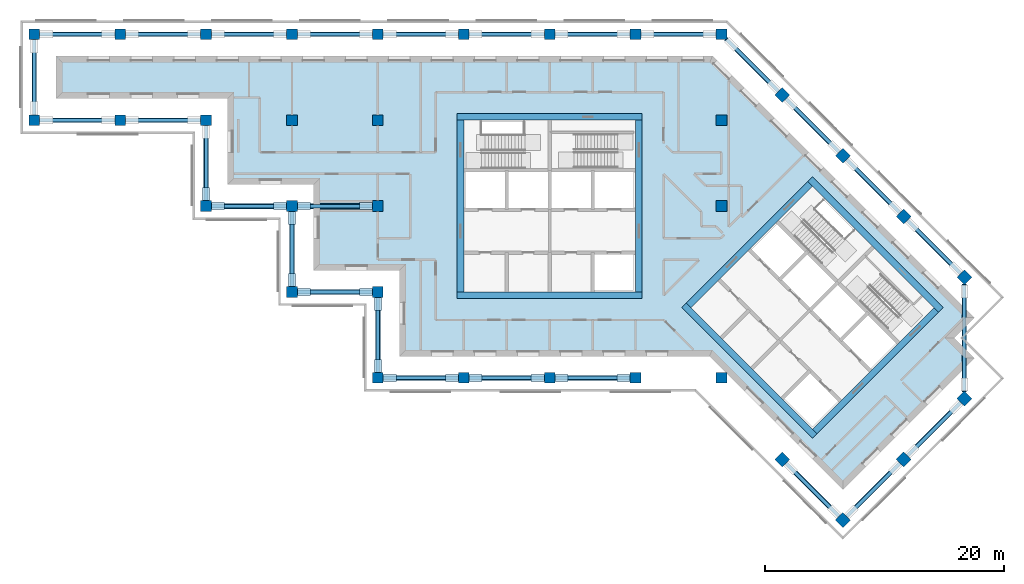
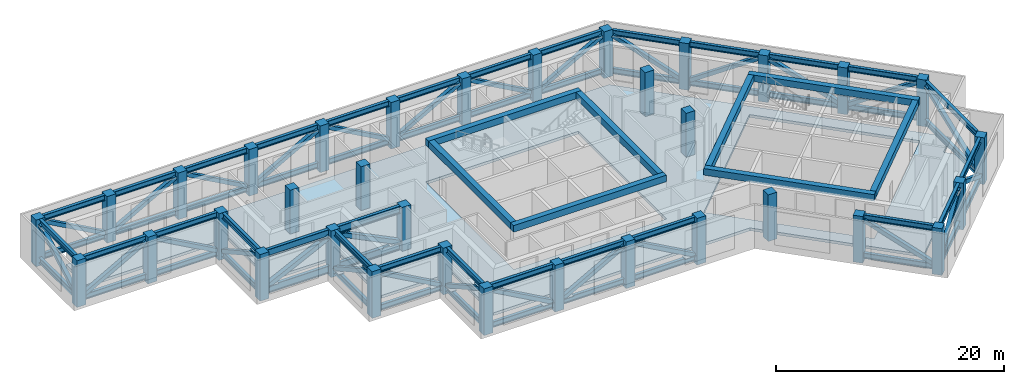
# One storey, part 1 of 10: 84 members, 34 columns, 17 plates, 8 beams, 1 slab, 2 openings.
"""IFC4 building model written with IfcOpenShell, lengths in metres."""

from ifc_helpers import new_model, si_unit, direction, frame, origin, origin_2d, place, context, subcontext, project, spatial, polyline, rectangle, hollow_rectangle, i_section, outline, extrude, material, layer, layer_set, material_profile, profile_set, type_object, element, save


model = new_model("IFC4")

# Units and contexts
model_context = context("Model", 3, precision=1e-05, world=origin(), true_north=direction((0.0, 1.0)))
body_context = subcontext(model_context, "Body", "Model", "MODEL_VIEW")
ifc_project = project(units=[si_unit("LENGTHUNIT", "METRE"), si_unit("AREAUNIT", "SQUARE_METRE"), si_unit("VOLUMEUNIT", "CUBIC_METRE"), si_unit("PLANEANGLEUNIT", "RADIAN"), si_unit("MASSUNIT", "GRAM", prefix="KILO")], contexts=[model_context])

# Site, building, storey
site_placement = place(None, origin())
site = spatial("IfcSite", under=ifc_project, at=site_placement, CompositionType="ELEMENT")
building_placement = place(site_placement, origin())
building = spatial("IfcBuilding", under=site, at=building_placement, Name="Windrow Commons", CompositionType="ELEMENT")
storey_placement = place(building_placement, frame((0.0, 0.0, 180.4)))
storey = spatial("IfcBuildingStorey", under=building, at=storey_placement, Name="L49", CompositionType="ELEMENT", Elevation=180.4)

# Columns
ifc_material_1 = material(Name="Concrete C50/60", Category="concrete")
ifc_material_profile_1 = material_profile(ifc_material_1, rectangle(XDim=0.9, YDim=0.9, at=origin_2d()))
ifc_profile_set_1 = profile_set([ifc_material_profile_1], Name="Concrete C50/60")
column_type = type_object("IfcColumnType", Name="RC COLUMN 900x900 C50/60", PredefinedType="COLUMN", material=ifc_profile_set_1)
for number, where, z_axis, x_axis, name in (
    (1, (21.6, 64.8, -0.3), (0.0, 0.0, 1.0), (1.0, 0.0, 0.0), "C-SG3-04I"),
    (2, (21.6, 72.0, -0.3), (0.0, 0.0, 1.0), (1.0, 0.0, 0.0), "C-SG3-04J"),
    (3, (28.8, 64.8, -0.3), (0.0, 0.0, 1.0), (1.0, 0.0, 0.0), "C-SG3-05I"),
    (4, (28.8, 72.0, -0.3), (0.0, 0.0, 1.0), (1.0, 0.0, 0.0), "C-SG3-05J"),
    (5, (36.0, 57.6, -0.3), (0.0, 0.0, 1.0), (1.0, 0.0, 0.0), "C-SG3-06H"),
    (6, (36.0, 64.8, -0.3), (0.0, 0.0, 1.0), (1.0, 0.0, 0.0), "C-SG3-06I"),
    (7, (36.0, 72.0, -0.3), (0.0, 0.0, 1.0), (1.0, 0.0, 0.0), "C-SG3-06J"),
    (8, (43.2, 50.4, -0.3), (0.0, 0.0, 1.0), (1.0, 0.0, 0.0), "C-SG3-07G"),
    (9, (43.2, 57.6, -0.3), (0.0, 0.0, 1.0), (1.0, 0.0, 0.0), "C-SG3-07H"),
):
    element("IfcColumn", number, at=place(storey_placement, frame(where, z_axis=z_axis, x_axis=x_axis)), inside=storey, type_object=column_type, Name=name, PredefinedType="COLUMN", context=body_context, shape_type="SweptSolid", body=[
        extrude(rectangle(XDim=0.9, YDim=0.9, at=origin_2d()), origin(), (0.0, 0.0, 1.0), 5.0),
    ])
column_placement = place(storey_placement, frame((43.2, 64.8, 0.0), z_axis=(0.0, 0.0, 1.0), x_axis=(1.0, 0.0, 0.0)))
element("IfcColumn", 10, at=column_placement, inside=storey, type_object=column_type, Name="C-SG3-07I", PredefinedType="COLUMN", context=body_context, shape_type="SweptSolid", body=[
    extrude(rectangle(XDim=0.9, YDim=0.9, at=origin_2d()), origin(), (0.0, 0.0, 1.0), 4.7),
])
for number, where, z_axis, x_axis, name in (
    (11, (43.2, 72.0, -0.3), (0.0, 0.0, 1.0), (1.0, 0.0, 0.0), "C-SG3-07J"),
    (12, (50.4, 43.2, -0.3), (0.0, 0.0, 1.0), (1.0, 0.0, 0.0), "C-SG3-08F"),
    (13, (50.4, 50.4, -0.3), (0.0, 0.0, 1.0), (1.0, 0.0, 0.0), "C-SG3-08G"),
):
    element("IfcColumn", number, at=place(storey_placement, frame(where, z_axis=z_axis, x_axis=x_axis)), inside=storey, type_object=column_type, Name=name, PredefinedType="COLUMN", context=body_context, shape_type="SweptSolid", body=[
        extrude(rectangle(XDim=0.9, YDim=0.9, at=origin_2d()), origin(), (0.0, 0.0, 1.0), 5.0),
    ])
for number, where, z_axis, x_axis, name in (
    (14, (50.4, 57.6, 0.0), (0.0, 0.0, 1.0), (1.0, 0.0, 0.0), "C-SG3-08H"),
    (15, (50.4, 64.8, 0.0), (0.0, 0.0, 1.0), (1.0, 0.0, 0.0), "C-SG3-08I"),
):
    element("IfcColumn", number, at=place(storey_placement, frame(where, z_axis=z_axis, x_axis=x_axis)), inside=storey, type_object=column_type, Name=name, PredefinedType="COLUMN", context=body_context, shape_type="SweptSolid", body=[
        extrude(rectangle(XDim=0.9, YDim=0.9, at=origin_2d()), origin(), (0.0, 0.0, 1.0), 4.7),
    ])
for number, where, z_axis, x_axis, name in (
    (16, (50.4, 72.0, -0.3), (0.0, 0.0, 1.0), (1.0, 0.0, 0.0), "C-SG3-08J"),
    (17, (57.6, 43.2, -0.3), (0.0, 0.0, 1.0), (1.0, 0.0, 0.0), "C-SG3-09F"),
    (18, (57.6, 72.0, -0.3), (0.0, 0.0, 1.0), (1.0, 0.0, 0.0), "C-SG3-09J"),
    (19, (64.8, 43.2, -0.3), (0.0, 0.0, 1.0), (1.0, 0.0, 0.0), "C-SG3-10F"),
    (20, (64.8, 72.0, -0.3), (0.0, 0.0, 1.0), (1.0, 0.0, 0.0), "C-SG3-10J"),
    (21, (72.0, 43.2, -0.3), (0.0, 0.0, 1.0), (1.0, 0.0, 0.0), "C-SG3-11F"),
    (22, (72.0, 72.0, -0.3), (0.0, 0.0, 1.0), (1.0, 0.0, 0.0), "C-SG3-11J"),
    (23, (79.2, 43.2, -0.3), (0.0, 0.0, 1.0), (1.0, 0.0, 0.0), "C-SG3-12F"),
):
    element("IfcColumn", number, at=place(storey_placement, frame(where, z_axis=z_axis, x_axis=x_axis)), inside=storey, type_object=column_type, Name=name, PredefinedType="COLUMN", context=body_context, shape_type="SweptSolid", body=[
        extrude(rectangle(XDim=0.9, YDim=0.9, at=origin_2d()), origin(), (0.0, 0.0, 1.0), 5.0),
    ])
for number, where, z_axis, x_axis, name in (
    (24, (79.2, 57.6, 0.0), (0.0, 0.0, 1.0), (1.0, 0.0, 0.0), "C-SG3-12H"),
    (25, (79.2, 64.8, 0.0), (0.0, 0.0, 1.0), (1.0, 0.0, 0.0), "C-SG3-12I"),
):
    element("IfcColumn", number, at=place(storey_placement, frame(where, z_axis=z_axis, x_axis=x_axis)), inside=storey, type_object=column_type, Name=name, PredefinedType="COLUMN", context=body_context, shape_type="SweptSolid", body=[
        extrude(rectangle(XDim=0.9, YDim=0.9, at=origin_2d()), origin(), (0.0, 0.0, 1.0), 4.7),
    ])
for number, where, z_axis, x_axis, name in (
    (26, (79.2, 72.0, -0.3), (0.0, 0.0, 1.0), (1.0, 0.0, 0.0), "C-SG3-12J"),
    (27, (84.2912, 66.9088, -0.3), (0.0, 0.0, 1.0), (0.7071067812, -0.7071067812, 0.0), "C-SG3-P2Q"),
    (28, (89.3823, 61.8177, -0.3), (0.0, 0.0, 1.0), (0.7071067812, -0.7071067812, 0.0), "C-SG3-P3Q"),
    (29, (94.4735, 56.7265, -0.3), (0.0, 0.0, 1.0), (0.7071067812, -0.7071067812, 0.0), "C-SG3-P4Q"),
    (30, (99.5647, 51.6353, -0.3), (0.0, 0.0, 1.0), (0.7071067812, -0.7071067812, 0.0), "C-SG3-P5Q"),
    (31, (84.2912, 36.3618, -0.3), (0.0, 0.0, 1.0), (0.7071067812, -0.7071067812, 0.0), "C-SG3-P5T"),
    (32, (99.5647, 41.453, -0.3), (0.0, 0.0, 1.0), (0.7071067812, -0.7071067812, 0.0), "C-SG3-P6R"),
    (33, (94.4735, 36.3618, -0.3), (0.0, 0.0, 1.0), (0.7071067812, -0.7071067812, 0.0), "C-SG3-P6S"),
    (34, (89.3823, 31.2706, -0.3), (0.0, 0.0, 1.0), (0.7071067812, -0.7071067812, 0.0), "C-SG3-P6T"),
):
    element("IfcColumn", number, at=place(storey_placement, frame(where, z_axis=z_axis, x_axis=x_axis)), inside=storey, type_object=column_type, Name=name, PredefinedType="COLUMN", context=body_context, shape_type="SweptSolid", body=[
        extrude(rectangle(XDim=0.9, YDim=0.9, at=origin_2d()), origin(), (0.0, 0.0, 1.0), 5.0),
    ])

# Beams
ifc_material_2 = material(Name="Concrete C50/60", Category="concrete")
ifc_material_profile_2 = material_profile(ifc_material_2, rectangle(XDim=0.55, YDim=0.7, at=origin_2d()))
ifc_profile_set_2 = profile_set([ifc_material_profile_2], Name="Concrete C50/60")
beam_type = type_object("IfcBeamType", Name="RC COUPLING BEAM 550x700 C50/60", PredefinedType="LINTEL", material=ifc_profile_set_2)
for number, where, z_axis, x_axis, name in (
    (35, (57.05, 50.125, 4.35), (1.0, 0.0, 0.0), (0.0, 1.0, 0.0), "Core A coupling beam outer-S"),
    (36, (57.05, 65.075, 4.35), (1.0, 0.0, 0.0), (0.0, 1.0, 0.0), "Core A coupling beam outer-N"),
):
    element("IfcBeam", number, at=place(storey_placement, frame(where, z_axis=z_axis, x_axis=x_axis)), inside=storey, type_object=beam_type, Name=name, PredefinedType="LINTEL", context=body_context, shape_type="SweptSolid", body=[
        extrude(rectangle(XDim=0.55, YDim=0.7, at=origin_2d()), origin(), (0.0, 0.0, 1.0), 15.5),
    ])
for number, where, z_axis, x_axis, name in (
    (37, (57.325, 50.4, 4.35), (0.0, 1.0, 0.0), (-1.0, 0.0, 0.0), "Core A coupling beam outer-W"),
    (38, (72.275, 50.4, 4.35), (0.0, 1.0, 0.0), (-1.0, 0.0, 0.0), "Core A coupling beam outer-E"),
):
    element("IfcBeam", number, at=place(storey_placement, frame(where, z_axis=z_axis, x_axis=x_axis)), inside=storey, type_object=beam_type, Name=name, PredefinedType="LINTEL", context=body_context, shape_type="SweptSolid", body=[
        extrude(rectangle(XDim=0.55, YDim=0.7, at=origin_2d()), origin(), (0.0, 0.0, 1.0), 14.4),
    ])
for number, where, z_axis, x_axis, name in (
    (39, (76.0711, 49.2842, 4.35), (0.7071035554, -0.707110007, 0.0), (0.707110007, 0.7071035554, 0.0), "Core B coupling beam outer-S"),
    (40, (86.6423, 59.8554, 4.35), (0.707110007, -0.7071035554, 0.0), (0.7071035554, 0.707110007, 0.0), "Core B coupling beam outer-N"),
):
    element("IfcBeam", number, at=place(storey_placement, frame(where, z_axis=z_axis, x_axis=x_axis)), inside=storey, type_object=beam_type, Name=name, PredefinedType="LINTEL", context=body_context, shape_type="SweptSolid", body=[
        extrude(rectangle(XDim=0.55, YDim=0.7, at=origin_2d()), origin(), (0.0, 0.0, 1.0), 15.5),
    ])
beam_1_placement = place(storey_placement, frame((76.46, 49.2842, 4.35), z_axis=(0.7071067812, 0.7071067812, 0.0), x_axis=(-0.7071067812, 0.7071067812, 0.0)))
element("IfcBeam", 41, at=beam_1_placement, inside=storey, type_object=beam_type, Name="Core B coupling beam outer-W", PredefinedType="LINTEL", context=body_context, shape_type="SweptSolid", body=[
    extrude(rectangle(XDim=0.55, YDim=0.7, at=origin_2d()), origin(), (0.0, 0.0, 1.0), 14.3999),
])
beam_2_placement = place(storey_placement, frame((87.0312, 38.7129, 4.35), z_axis=(0.707103309, 0.7071102534, 0.0), x_axis=(-0.7071102534, 0.707103309, 0.0)))
element("IfcBeam", 42, at=beam_2_placement, inside=storey, type_object=beam_type, Name="Core B coupling beam outer-E", PredefinedType="LINTEL", context=body_context, shape_type="SweptSolid", body=[
    extrude(rectangle(XDim=0.55, YDim=0.7, at=origin_2d()), origin(), (0.0, 0.0, 1.0), 14.4),
])

# Members
ifc_material_3 = material(Name="Steel S355", Category="steel")
ifc_material_profile_3 = material_profile(ifc_material_3, i_section(OverallWidth=0.3, OverallDepth=0.6, WebThickness=0.0155, FlangeThickness=0.03, FilletRadius=0.027, at=origin_2d()))
ifc_profile_set_3 = profile_set([ifc_material_profile_3], Name="Steel S355")
member_type_1 = type_object("IfcMemberType", Name="STEEL OUTRIGGER CHORD HE600B S355", PredefinedType="CHORD", material=ifc_profile_set_3)
for number, where, z_axis, x_axis, name in (
    (43, (71.55, 43.2, 0.3), (-1.0, 0.0, 0.0), (0.0, -1.0, 0.0), "belt00 chord 1 bot"),
    (44, (71.55, 43.2, 4.4), (-1.0, 0.0, 0.0), (0.0, -1.0, 0.0), "belt00 chord 1 top"),
    (45, (64.35, 43.2, 0.3), (-1.0, 0.0, 0.0), (0.0, -1.0, 0.0), "belt00 chord 2 bot"),
    (46, (64.35, 43.2, 4.4), (-1.0, 0.0, 0.0), (0.0, -1.0, 0.0), "belt00 chord 2 top"),
    (47, (57.15, 43.2, 0.3), (-1.0, 0.0, 0.0), (0.0, -1.0, 0.0), "belt00 chord 3 bot"),
    (48, (57.15, 43.2, 4.4), (-1.0, 0.0, 0.0), (0.0, -1.0, 0.0), "belt00 chord 3 top"),
    (49, (50.4, 43.65, 0.3), (0.0, 1.0, 0.0), (-1.0, 0.0, 0.0), "belt00 chord 4 bot"),
    (50, (50.4, 43.65, 4.4), (0.0, 1.0, 0.0), (-1.0, 0.0, 0.0), "belt00 chord 4 top"),
    (51, (49.95, 50.4, 0.3), (-1.0, 0.0, 0.0), (0.0, -1.0, 0.0), "belt00 chord 5 bot"),
    (52, (49.95, 50.4, 4.4), (-1.0, 0.0, 0.0), (0.0, -1.0, 0.0), "belt00 chord 5 top"),
    (53, (43.2, 50.85, 0.3), (0.0, 1.0, 0.0), (-1.0, 0.0, 0.0), "belt00 chord 6 bot"),
    (54, (43.2, 50.85, 4.4), (0.0, 1.0, 0.0), (-1.0, 0.0, 0.0), "belt00 chord 6 top"),
    (55, (36.0, 58.05, 0.3), (0.0, 1.0, 0.0), (-1.0, 0.0, 0.0), "belt00 chord 8 bot"),
    (56, (36.0, 58.05, 4.4), (0.0, 1.0, 0.0), (-1.0, 0.0, 0.0), "belt00 chord 8 top"),
    (57, (35.55, 64.8, 0.3), (-1.0, 0.0, 0.0), (0.0, -1.0, 0.0), "belt00 chord 9 bot"),
    (58, (35.55, 64.8, 4.4), (-1.0, 0.0, 0.0), (0.0, -1.0, 0.0), "belt00 chord 9 top"),
    (59, (28.35, 64.8, 0.3), (-1.0, 0.0, 0.0), (0.0, -1.0, 0.0), "belt00 chord 10 bot"),
    (60, (28.35, 64.8, 4.4), (-1.0, 0.0, 0.0), (0.0, -1.0, 0.0), "belt00 chord 10 top"),
    (61, (21.6, 65.25, 0.3), (0.0, 1.0, 0.0), (-1.0, 0.0, 0.0), "belt00 chord 11 bot"),
    (62, (21.6, 65.25, 4.4), (0.0, 1.0, 0.0), (-1.0, 0.0, 0.0), "belt00 chord 11 top"),
    (63, (22.05, 72.0, 0.3), (1.0, 0.0, 0.0), (0.0, 1.0, 0.0), "belt00 chord 12 bot"),
    (64, (22.05, 72.0, 4.4), (1.0, 0.0, 0.0), (0.0, 1.0, 0.0), "belt00 chord 12 top"),
    (65, (29.25, 72.0, 0.3), (1.0, 0.0, 0.0), (0.0, 1.0, 0.0), "belt00 chord 13 bot"),
    (66, (29.25, 72.0, 4.4), (1.0, 0.0, 0.0), (0.0, 1.0, 0.0), "belt00 chord 13 top"),
    (67, (36.45, 72.0, 0.3), (1.0, 0.0, 0.0), (0.0, 1.0, 0.0), "belt00 chord 14 bot"),
    (68, (36.45, 72.0, 4.4), (1.0, 0.0, 0.0), (0.0, 1.0, 0.0), "belt00 chord 14 top"),
    (69, (43.65, 72.0, 0.3), (1.0, 0.0, 0.0), (0.0, 1.0, 0.0), "belt00 chord 15 bot"),
    (70, (43.65, 72.0, 4.4), (1.0, 0.0, 0.0), (0.0, 1.0, 0.0), "belt00 chord 15 top"),
    (71, (50.85, 72.0, 0.3), (1.0, 0.0, 0.0), (0.0, 1.0, 0.0), "belt00 chord 16 bot"),
    (72, (50.85, 72.0, 4.4), (1.0, 0.0, 0.0), (0.0, 1.0, 0.0), "belt00 chord 16 top"),
    (73, (58.05, 72.0, 0.3), (1.0, 0.0, 0.0), (0.0, 1.0, 0.0), "belt00 chord 17 bot"),
    (74, (58.05, 72.0, 4.4), (1.0, 0.0, 0.0), (0.0, 1.0, 0.0), "belt00 chord 17 top"),
    (75, (65.25, 72.0, 0.3), (1.0, 0.0, 0.0), (0.0, 1.0, 0.0), "belt00 chord 18 bot"),
    (76, (65.25, 72.0, 4.4), (1.0, 0.0, 0.0), (0.0, 1.0, 0.0), "belt00 chord 18 top"),
    (77, (72.45, 72.0, 0.3), (1.0, 0.0, 0.0), (0.0, 1.0, 0.0), "belt00 chord 19 bot"),
    (78, (72.45, 72.0, 4.4), (1.0, 0.0, 0.0), (0.0, 1.0, 0.0), "belt00 chord 19 top"),
):
    element("IfcMember", number, at=place(storey_placement, frame(where, z_axis=z_axis, x_axis=x_axis)), inside=storey, type_object=member_type_1, Name=name, PredefinedType="CHORD", context=body_context, shape_type="SweptSolid", body=[
        extrude(i_section(OverallWidth=0.3, OverallDepth=0.6, WebThickness=0.0155, FlangeThickness=0.03, FilletRadius=0.027, at=origin_2d()), origin(), (0.0, 0.0, 1.0), 6.3),
    ])
for number, where, z_axis, x_axis, name in (
    (79, (79.65, 71.55, 0.3), (0.7071067812, -0.7071067812, 0.0), (0.7071067812, 0.7071067812, 0.0), "belt00 chord 20 bot"),
    (80, (79.65, 71.55, 4.4), (0.7071067812, -0.7071067812, 0.0), (0.7071067812, 0.7071067812, 0.0), "belt00 chord 20 top"),
):
    element("IfcMember", number, at=place(storey_placement, frame(where, z_axis=z_axis, x_axis=x_axis)), inside=storey, type_object=member_type_1, Name=name, PredefinedType="CHORD", context=body_context, shape_type="SweptSolid", body=[
        extrude(i_section(OverallWidth=0.3, OverallDepth=0.6, WebThickness=0.0155, FlangeThickness=0.03, FilletRadius=0.027, at=origin_2d()), origin(), (0.0, 0.0, 1.0), 6.1136),
    ])
for number, where, z_axis, x_axis, name in (
    (81, (84.6094, 66.5906, 0.3), (0.7071067812, -0.7071067812, 0.0), (0.7071067812, 0.7071067812, 0.0), "belt00 chord 21 bot"),
    (82, (84.6094, 66.5906, 4.4), (0.7071067812, -0.7071067812, 0.0), (0.7071067812, 0.7071067812, 0.0), "belt00 chord 21 top"),
):
    element("IfcMember", number, at=place(storey_placement, frame(where, z_axis=z_axis, x_axis=x_axis)), inside=storey, type_object=member_type_1, Name=name, PredefinedType="CHORD", context=body_context, shape_type="SweptSolid", body=[
        extrude(i_section(OverallWidth=0.3, OverallDepth=0.6, WebThickness=0.0155, FlangeThickness=0.03, FilletRadius=0.027, at=origin_2d()), origin(), (0.0, 0.0, 1.0), 6.2999),
    ])
for number, where, z_axis, x_axis, name in (
    (83, (89.7005, 61.4995, 0.3), (0.7071067812, -0.7071067812, 0.0), (0.7071067812, 0.7071067812, 0.0), "belt00 chord 22 bot"),
    (84, (89.7005, 61.4995, 4.4), (0.7071067812, -0.7071067812, 0.0), (0.7071067812, 0.7071067812, 0.0), "belt00 chord 22 top"),
    (85, (94.7917, 56.4083, 0.3), (0.7071067812, -0.7071067812, 0.0), (0.7071067812, 0.7071067812, 0.0), "belt00 chord 23 bot"),
    (86, (94.7917, 56.4083, 4.4), (0.7071067812, -0.7071067812, 0.0), (0.7071067812, 0.7071067812, 0.0), "belt00 chord 23 top"),
):
    element("IfcMember", number, at=place(storey_placement, frame(where, z_axis=z_axis, x_axis=x_axis)), inside=storey, type_object=member_type_1, Name=name, PredefinedType="CHORD", context=body_context, shape_type="SweptSolid", body=[
        extrude(i_section(OverallWidth=0.3, OverallDepth=0.6, WebThickness=0.0155, FlangeThickness=0.03, FilletRadius=0.027, at=origin_2d()), origin(), (0.0, 0.0, 1.0), 6.3),
    ])
for number, where, z_axis, x_axis, name in (
    (87, (99.5647, 50.9989, 0.3), (0.0, -1.0, 0.0), (1.0, 0.0, 0.0), "belt00 chord 24 bot"),
    (88, (99.5647, 50.9989, 4.4), (0.0, -1.0, 0.0), (1.0, 0.0, 0.0), "belt00 chord 24 top"),
):
    element("IfcMember", number, at=place(storey_placement, frame(where, z_axis=z_axis, x_axis=x_axis)), inside=storey, type_object=member_type_1, Name=name, PredefinedType="CHORD", context=body_context, shape_type="SweptSolid", body=[
        extrude(i_section(OverallWidth=0.3, OverallDepth=0.6, WebThickness=0.0155, FlangeThickness=0.03, FilletRadius=0.027, at=origin_2d()), origin(), (0.0, 0.0, 1.0), 8.9095),
    ])
for number, where, z_axis, x_axis, name in (
    (89, (99.2465, 41.1348, 0.3), (-0.7071067812, -0.7071067812, 0.0), (0.7071067812, -0.7071067812, 0.0), "belt00 chord 25 bot"),
    (90, (99.2465, 41.1348, 4.4), (-0.7071067812, -0.7071067812, 0.0), (0.7071067812, -0.7071067812, 0.0), "belt00 chord 25 top"),
    (91, (94.1553, 36.0436, 0.3), (-0.7071067812, -0.7071067812, 0.0), (0.7071067812, -0.7071067812, 0.0), "belt00 chord 26 bot"),
    (92, (94.1553, 36.0436, 4.4), (-0.7071067812, -0.7071067812, 0.0), (0.7071067812, -0.7071067812, 0.0), "belt00 chord 26 top"),
    (93, (89.0641, 31.5888, 0.3), (-0.7070988446, 0.7071147177, 0.0), (-0.7071147177, -0.7070988446, 0.0), "belt00 chord 27 bot"),
    (94, (89.0641, 31.5888, 4.4), (-0.7070988446, 0.7071147177, 0.0), (-0.7071147177, -0.7070988446, 0.0), "belt00 chord 27 top"),
):
    element("IfcMember", number, at=place(storey_placement, frame(where, z_axis=z_axis, x_axis=x_axis)), inside=storey, type_object=member_type_1, Name=name, PredefinedType="CHORD", context=body_context, shape_type="SweptSolid", body=[
        extrude(i_section(OverallWidth=0.3, OverallDepth=0.6, WebThickness=0.0155, FlangeThickness=0.03, FilletRadius=0.027, at=origin_2d()), origin(), (0.0, 0.0, 1.0), 6.3),
    ])
ifc_material_4 = material(Name="Steel S355", Category="steel")
ifc_material_profile_4 = material_profile(ifc_material_4, i_section(OverallWidth=0.3, OverallDepth=0.8, WebThickness=0.0175, FlangeThickness=0.033, FilletRadius=0.03, at=origin_2d()))
ifc_profile_set_4 = profile_set([ifc_material_profile_4], Name="Steel S355")
member_type_2 = type_object("IfcMemberType", Name="STEEL OUTRIGGER CHORD HE800B S355", PredefinedType="CHORD", material=ifc_profile_set_4)
for number, where, z_axis, x_axis, name in (
    (95, (49.95, 57.6, 0.4), (-1.0, 0.0, 0.0), (0.0, -1.0, 0.0), "outA-W chord 1 bot"),
    (96, (49.95, 57.6, 4.3), (-1.0, 0.0, 0.0), (0.0, -1.0, 0.0), "outA-W chord 1 top"),
    (97, (42.75, 57.6, 0.4), (-1.0, 0.0, 0.0), (0.0, -1.0, 0.0), "outA-W chord 2 bot"),
    (98, (42.75, 57.6, 4.3), (-1.0, 0.0, 0.0), (0.0, -1.0, 0.0), "outA-W chord 2 top"),
):
    element("IfcMember", number, at=place(storey_placement, frame(where, z_axis=z_axis, x_axis=x_axis)), inside=storey, type_object=member_type_2, Name=name, PredefinedType="CHORD", context=body_context, shape_type="SweptSolid", body=[
        extrude(i_section(OverallWidth=0.3, OverallDepth=0.8, WebThickness=0.0175, FlangeThickness=0.033, FilletRadius=0.03, at=origin_2d()), origin(), (0.0, 0.0, 1.0), 6.3),
    ])
ifc_material_5 = material(Name="Steel S355", Category="steel")
ifc_material_profile_5 = material_profile(ifc_material_5, hollow_rectangle(XDim=0.4, YDim=0.4, WallThickness=0.02, at=origin_2d()))
ifc_profile_set_5 = profile_set([ifc_material_profile_5], Name="Steel S355")
member_type_3 = type_object("IfcMemberType", Name="STEEL OUTRIGGER DIAGONAL RHS400x400x20 S355", PredefinedType="BRACE", material=ifc_profile_set_5)
for number, where, z_axis, x_axis, name in (
    (99, (71.55, 43.2, 0.6), (-0.8741572761, 0.0, 0.4856429312), (0.0, -1.0, 0.0), "belt00 diagonal 1"),
    (100, (64.35, 43.2, 4.1), (-0.8741572761, 0.0, -0.4856429312), (0.0, -1.0, 0.0), "belt00 diagonal 2"),
    (101, (57.15, 43.2, 0.6), (-0.8741572761, 0.0, 0.4856429312), (0.0, -1.0, 0.0), "belt00 diagonal 3"),
    (102, (50.4, 43.65, 4.1), (0.0, 0.8741572761, -0.4856429312), (-1.0, 0.0, 0.0), "belt00 diagonal 4"),
    (103, (49.95, 50.4, 0.6), (-0.8741572761, 0.0, 0.4856429312), (0.0, -1.0, 0.0), "belt00 diagonal 5"),
    (104, (43.2, 50.85, 4.1), (0.0, 0.8741572761, -0.4856429312), (-1.0, 0.0, 0.0), "belt00 diagonal 6"),
    (105, (36.0, 58.05, 4.1), (0.0, 0.8741572761, -0.4856429312), (-1.0, 0.0, 0.0), "belt00 diagonal 8"),
    (106, (35.55, 64.8, 0.6), (-0.8741572761, 0.0, 0.4856429312), (0.0, -1.0, 0.0), "belt00 diagonal 9"),
    (107, (28.35, 64.8, 4.1), (-0.8741572761, 0.0, -0.4856429312), (0.0, -1.0, 0.0), "belt00 diagonal 10"),
    (108, (21.6, 65.25, 0.6), (0.0, 0.8741572761, 0.4856429312), (-1.0, 0.0, 0.0), "belt00 diagonal 11"),
    (109, (22.05, 72.0, 4.1), (0.8741572761, 0.0, -0.4856429312), (0.0, 1.0, 0.0), "belt00 diagonal 12"),
    (110, (29.25, 72.0, 0.6), (0.8741572761, 0.0, 0.4856429312), (0.0, 1.0, 0.0), "belt00 diagonal 13"),
    (111, (36.45, 72.0, 4.1), (0.8741572761, 0.0, -0.4856429312), (0.0, 1.0, 0.0), "belt00 diagonal 14"),
    (112, (43.65, 72.0, 0.6), (0.8741572761, 0.0, 0.4856429312), (0.0, 1.0, 0.0), "belt00 diagonal 15"),
    (113, (50.85, 72.0, 4.1), (0.8741572761, 0.0, -0.4856429312), (0.0, 1.0, 0.0), "belt00 diagonal 16"),
    (114, (58.05, 72.0, 0.6), (0.8741572761, 0.0, 0.4856429312), (0.0, 1.0, 0.0), "belt00 diagonal 17"),
    (115, (65.25, 72.0, 4.1), (0.8741572761, 0.0, -0.4856429312), (0.0, 1.0, 0.0), "belt00 diagonal 18"),
    (116, (72.45, 72.0, 0.6), (0.8741572761, 0.0, 0.4856429312), (0.0, 1.0, 0.0), "belt00 diagonal 19"),
):
    element("IfcMember", number, at=place(storey_placement, frame(where, z_axis=z_axis, x_axis=x_axis)), inside=storey, type_object=member_type_3, Name=name, PredefinedType="BRACE", context=body_context, shape_type="SweptSolid", body=[
        extrude(hollow_rectangle(XDim=0.4, YDim=0.4, WallThickness=0.02, at=origin_2d()), origin(), (0.0, 0.0, 1.0), 7.2069),
    ])
member_1_placement = place(storey_placement, frame((79.65, 71.55, 4.1), z_axis=(0.6136598658, -0.6136598658, -0.496833109), x_axis=(0.7071067812, 0.7071067812, 0.0)))
element("IfcMember", 117, at=member_1_placement, inside=storey, type_object=member_type_3, Name="belt00 diagonal 20", PredefinedType="BRACE", context=body_context, shape_type="SweptSolid", body=[
    extrude(hollow_rectangle(XDim=0.4, YDim=0.4, WallThickness=0.02, at=origin_2d()), origin(), (0.0, 0.0, 1.0), 7.0446),
])
member_2_placement = place(storey_placement, frame((84.6094, 66.5906, 0.6), z_axis=(0.6181201579, -0.6181201579, 0.4856489893), x_axis=(0.7071067812, 0.7071067812, 0.0)))
element("IfcMember", 118, at=member_2_placement, inside=storey, type_object=member_type_3, Name="belt00 diagonal 21", PredefinedType="BRACE", context=body_context, shape_type="SweptSolid", body=[
    extrude(hollow_rectangle(XDim=0.4, YDim=0.4, WallThickness=0.02, at=origin_2d()), origin(), (0.0, 0.0, 1.0), 7.2069),
])
for number, where, z_axis, x_axis, name in (
    (119, (89.7005, 61.4995, 4.1), (0.6181234305, -0.6181234305, -0.4856406588), (0.7071067812, 0.7071067812, 0.0), "belt00 diagonal 22"),
    (120, (94.7917, 56.4083, 0.6), (0.6181234305, -0.6181234305, 0.4856406588), (0.7071067812, 0.7071067812, 0.0), "belt00 diagonal 23"),
):
    element("IfcMember", number, at=place(storey_placement, frame(where, z_axis=z_axis, x_axis=x_axis)), inside=storey, type_object=member_type_3, Name=name, PredefinedType="BRACE", context=body_context, shape_type="SweptSolid", body=[
        extrude(hollow_rectangle(XDim=0.4, YDim=0.4, WallThickness=0.02, at=origin_2d()), origin(), (0.0, 0.0, 1.0), 7.207),
    ])
member_3_placement = place(storey_placement, frame((99.5647, 50.9989, 4.1), z_axis=(0.0, -0.9307572073, -0.3656378277), x_axis=(1.0, 0.0, 0.0)))
element("IfcMember", 121, at=member_3_placement, inside=storey, type_object=member_type_3, Name="belt00 diagonal 24", PredefinedType="BRACE", context=body_context, shape_type="SweptSolid", body=[
    extrude(hollow_rectangle(XDim=0.4, YDim=0.4, WallThickness=0.02, at=origin_2d()), origin(), (0.0, 0.0, 1.0), 9.5723),
])
for number, where, z_axis, x_axis, name in (
    (122, (99.2465, 41.1348, 0.6), (-0.6181234305, -0.6181234305, 0.4856406588), (0.7071067812, -0.7071067812, 0.0), "belt00 diagonal 25"),
    (123, (94.1553, 36.0436, 4.1), (-0.6181234305, -0.6181234305, -0.4856406588), (0.7071067812, -0.7071067812, 0.0), "belt00 diagonal 26"),
):
    element("IfcMember", number, at=place(storey_placement, frame(where, z_axis=z_axis, x_axis=x_axis)), inside=storey, type_object=member_type_3, Name=name, PredefinedType="BRACE", context=body_context, shape_type="SweptSolid", body=[
        extrude(hollow_rectangle(XDim=0.4, YDim=0.4, WallThickness=0.02, at=origin_2d()), origin(), (0.0, 0.0, 1.0), 7.207),
    ])
member_4_placement = place(storey_placement, frame((89.0641, 31.5888, 0.6), z_axis=(-0.6181148564, 0.618128732, 0.485644824), x_axis=(-0.7071147177, -0.7070988446, 0.0)))
element("IfcMember", 124, at=member_4_placement, inside=storey, type_object=member_type_3, Name="belt00 diagonal 27", PredefinedType="BRACE", context=body_context, shape_type="SweptSolid", body=[
    extrude(hollow_rectangle(XDim=0.4, YDim=0.4, WallThickness=0.02, at=origin_2d()), origin(), (0.0, 0.0, 1.0), 7.2069),
])
ifc_material_6 = material(Name="Steel S355", Category="steel")
ifc_material_profile_6 = material_profile(ifc_material_6, hollow_rectangle(XDim=0.45, YDim=0.45, WallThickness=0.022, at=origin_2d()))
ifc_profile_set_6 = profile_set([ifc_material_profile_6], Name="Steel S355")
member_type_4 = type_object("IfcMemberType", Name="STEEL OUTRIGGER DIAGONAL RHS450x450x22 S355", PredefinedType="BRACE", material=ifc_profile_set_6)
for number, where, z_axis, x_axis, name in (
    (125, (49.95, 57.6, 0.8), (-0.8972574847, 0.0, 0.4415076512), (0.0, -1.0, 0.0), "outA-W diagonal 1"),
    (126, (42.75, 57.6, 3.9), (-0.8972574847, 0.0, -0.4415076512), (0.0, -1.0, 0.0), "outA-W diagonal 2"),
):
    element("IfcMember", number, at=place(storey_placement, frame(where, z_axis=z_axis, x_axis=x_axis)), inside=storey, type_object=member_type_4, Name=name, PredefinedType="BRACE", context=body_context, shape_type="SweptSolid", body=[
        extrude(hollow_rectangle(XDim=0.45, YDim=0.45, WallThickness=0.022, at=origin_2d()), origin(), (0.0, 0.0, 1.0), 7.0214),
    ])

# Slab, openings
ifc_material_7 = material(Name="Concrete C50/60", Category="concrete")
ifc_layer_1 = layer(ifc_material_7, 0.3)
ifc_layer_set_1 = layer_set([ifc_layer_1], Name="FLOOR SLAB 300 C50/60")
slab_type = type_object("IfcSlabType", Name="FLOOR SLAB 300 C50/60", PredefinedType="FLOOR", material=ifc_layer_set_1)
slab_placement = place(storey_placement, frame((0.0, 0.0, -0.3)))
slab = element("IfcSlab", 127, at=slab_placement, inside=storey, type_object=slab_type, Name="S-L49-floor", PredefinedType="FLOOR", context=body_context, shape_type="SweptSolid", body=[
    extrude(outline(polyline([(89.3823, 33.8162), (100.4132, 44.8471), (98.7161, 46.5442), (100.4132, 48.2412), (78.4544, 70.2), (23.4, 70.2), (23.4, 66.6), (37.8, 66.6), (37.8, 59.4), (45.0, 59.4), (45.0, 52.2), (52.2, 52.2), (52.2, 45.0), (78.1986, 45.0), (89.3823, 33.8162)]), holes=[polyline([(75.8766, 49.0897), (86.8368, 60.0499), (97.7969, 49.0897), (86.8368, 38.1296), (75.8766, 49.0897)]), polyline([(57.05, 49.85), (57.05, 65.35), (72.55, 65.35), (72.55, 49.85), (57.05, 49.85)])]), origin(), (0.0, 0.0, 1.0), 0.3),
])
opening_1_placement = place(slab_placement, origin())
element("IfcOpeningElement", 128, at=opening_1_placement, cuts=slab, Name="Slab opening S-L49-floor 1", PredefinedType="OPENING", context=body_context, shape_type="SweptSolid", body=[
    extrude(outline(polyline([(75.8837, 49.0897), (86.8368, 60.0428), (97.7898, 49.0897), (86.8368, 38.1367), (75.8837, 49.0897)])), origin(), (0.0, 0.0, 1.0), 0.3),
])
opening_2_placement = place(slab_placement, origin())
element("IfcOpeningElement", 129, at=opening_2_placement, cuts=slab, Name="Slab opening S-L49-floor 2", PredefinedType="OPENING", context=body_context, shape_type="SweptSolid", body=[
    extrude(outline(polyline([(57.055, 49.855), (57.055, 65.345), (72.545, 65.345), (72.545, 49.855), (57.055, 49.855)])), origin(), (0.0, 0.0, 1.0), 0.3),
])

# Plates
ifc_material_8 = material(Name="Steel S355", Category="steel")
ifc_layer_2 = layer(ifc_material_8, 0.03)
ifc_layer_set_2 = layer_set([ifc_layer_2], Name="GUSSET PLATE 30 S355")
plate_type = type_object("IfcPlateType", Name="GUSSET PLATE 30 S355", PredefinedType="USERDEFINED", material=ifc_layer_set_2)
for number, where, z_axis, x_axis, name in (
    (130, (71.0, 43.2, 0.6), (0.0, 0.0, 1.0), (-1.0, 0.0, 0.0), "Gusset plate L49 belt00 1"),
    (131, (65.8, 43.2, 4.07), (0.0, 0.0, 1.0), (-1.0, 0.0, 0.0), "Gusset plate L49 belt00 2"),
    (132, (63.8, 43.2, 4.07), (0.0, 0.0, 1.0), (-1.0, 0.0, 0.0), "Gusset plate L49 belt00 3"),
    (133, (58.6, 43.2, 0.6), (0.0, 0.0, 1.0), (-1.0, 0.0, 0.0), "Gusset plate L49 belt00 4"),
    (134, (56.6, 43.2, 0.6), (0.0, 0.0, 1.0), (-1.0, 0.0, 0.0), "Gusset plate L49 belt00 5"),
    (135, (51.4, 43.2, 4.07), (0.0, 0.0, 1.0), (-1.0, 0.0, 0.0), "Gusset plate L49 belt00 6"),
    (136, (50.4, 44.2, 4.07), (0.0, 0.0, 1.0), (0.0, 1.0, 0.0), "Gusset plate L49 belt00 7"),
    (137, (50.4, 49.4, 0.6), (0.0, 0.0, 1.0), (0.0, 1.0, 0.0), "Gusset plate L49 belt00 8"),
    (138, (49.4, 50.4, 0.6), (0.0, 0.0, 1.0), (-1.0, 0.0, 0.0), "Gusset plate L49 belt00 9"),
    (139, (44.2, 50.4, 4.07), (0.0, 0.0, 1.0), (-1.0, 0.0, 0.0), "Gusset plate L49 belt00 10"),
    (140, (43.2, 51.4, 4.07), (0.0, 0.0, 1.0), (0.0, 1.0, 0.0), "Gusset plate L49 belt00 11"),
    (141, (43.2, 56.6, 0.6), (0.0, 0.0, 1.0), (0.0, 1.0, 0.0), "Gusset plate L49 belt00 12"),
    (142, (36.0, 58.6, 4.07), (0.0, 0.0, 1.0), (0.0, 1.0, 0.0), "Gusset plate L49 belt00 13"),
    (143, (49.4, 57.6, 0.8), (0.0, 0.0, 1.0), (-1.0, 0.0, 0.0), "Gusset plate L49 outA-W 1"),
    (144, (44.2, 57.6, 3.87), (0.0, 0.0, 1.0), (-1.0, 0.0, 0.0), "Gusset plate L49 outA-W 2"),
    (145, (42.2, 57.6, 3.87), (0.0, 0.0, 1.0), (-1.0, 0.0, 0.0), "Gusset plate L49 outA-W 3"),
    (146, (37.0, 57.6, 0.8), (0.0, 0.0, 1.0), (-1.0, 0.0, 0.0), "Gusset plate L49 outA-W 4"),
):
    element("IfcPlate", number, at=place(storey_placement, frame(where, z_axis=z_axis, x_axis=x_axis)), inside=storey, type_object=plate_type, Name=name, ObjectType="GUSSET PLATE", PredefinedType="USERDEFINED", context=body_context, shape_type="SweptSolid", body=[
        extrude(rectangle(XDim=1.1, YDim=0.6, at=origin_2d()), origin(), (0.0, 0.0, 1.0), 0.03),
    ])

save(model, "model.ifc")
